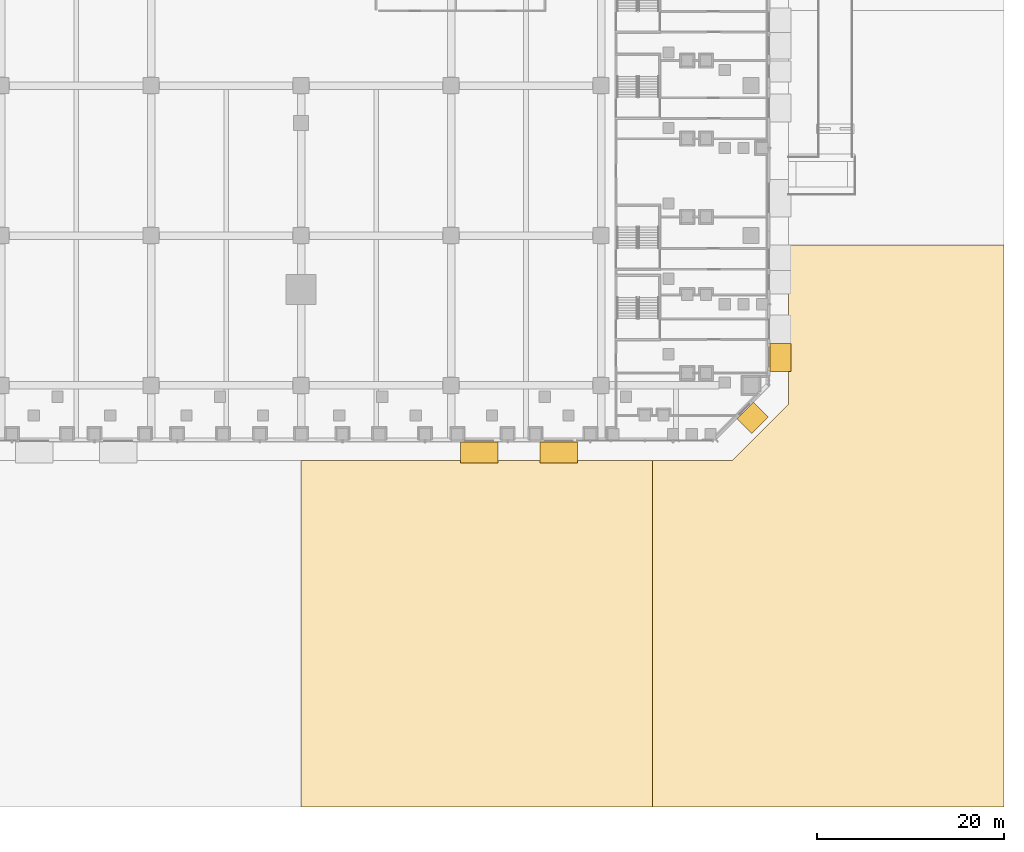
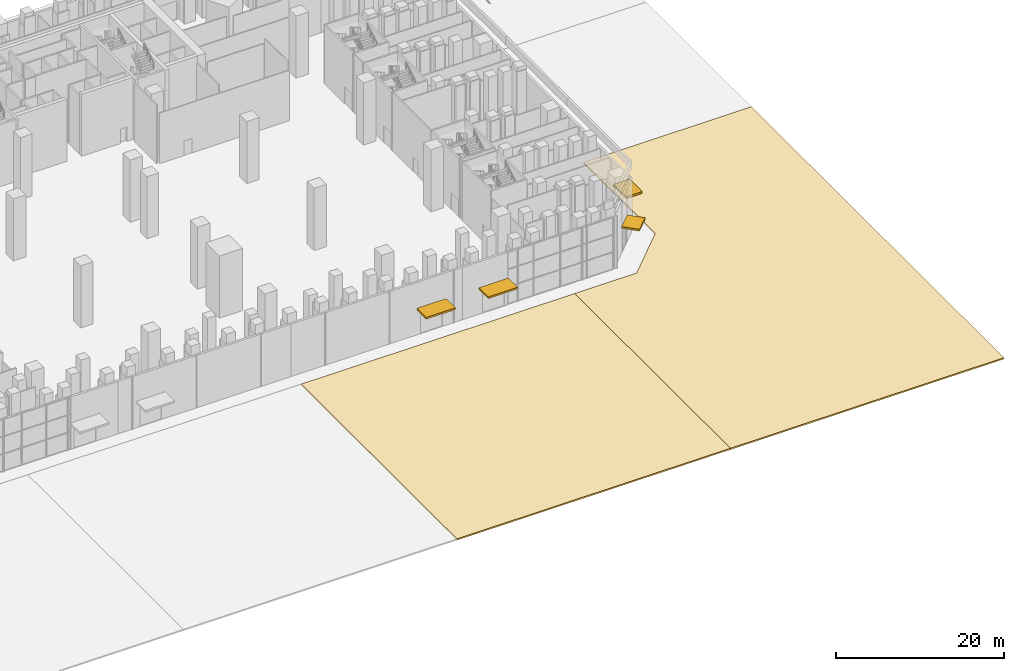
# One storey, part 39 of 51: 4 shading devices, 2 coverings.
"""IFC4 building model written with IfcOpenShell, lengths in metres."""

from ifc_helpers import new_model, si_unit, direction, frame, origin, origin_2d, place, context, subcontext, project, spatial, polyline, rectangle, outline, extrude, material, layer, layer_set, type_object, element, save


model = new_model("IFC4")

# Units and contexts
model_context = context("Model", 3, precision=1e-05, world=origin(), true_north=direction((0.0, 1.0)))
body_context = subcontext(model_context, "Body", "Model", "MODEL_VIEW")
ifc_project = project(units=[si_unit("LENGTHUNIT", "METRE"), si_unit("AREAUNIT", "SQUARE_METRE"), si_unit("VOLUMEUNIT", "CUBIC_METRE"), si_unit("PLANEANGLEUNIT", "RADIAN"), si_unit("MASSUNIT", "GRAM", prefix="KILO")], contexts=[model_context])

# Site, building, storey
site_placement = place(None, origin())
site = spatial("IfcSite", under=ifc_project, at=site_placement, CompositionType="ELEMENT")
building_placement = place(site_placement, origin())
building = spatial("IfcBuilding", under=site, at=building_placement, Name="Calabash Gate Tower", CompositionType="ELEMENT")
storey_placement = place(building_placement, origin())
storey = spatial("IfcBuildingStorey", under=building, at=storey_placement, Name="L00", CompositionType="ELEMENT", Elevation=0.0)

# Shading devices
ifc_material_1 = material(Name="Steel framed canopy with laminated glass", Category="steel")
ifc_layer_1 = layer(ifc_material_1, 0.25)
ifc_layer_set_1 = layer_set([ifc_layer_1], Name="Entrance canopy 250")
shading_device_type = type_object("IfcShadingDeviceType", Name="Entrance canopy 250", PredefinedType="AWNING", material=ifc_layer_set_1)
for number, where, z_axis, x_axis, name in (
    (1, (19.00390625, -47.14990234375, 3.60009765625), (0.0, 0.0, 1.0), (1.0, 0.0, 0.0), "Entrance canopy 3"),
    (2, (27.50390625, -47.14990234375, 3.60009765625), (0.0, 0.0, 1.0), (1.0, 0.0, 0.0), "Entrance canopy 4"),
):
    element("IfcShadingDevice", number, at=place(storey_placement, frame(where, z_axis=z_axis, x_axis=x_axis)), inside=storey, type_object=shading_device_type, Name=name, PredefinedType="AWNING", context=body_context, shape_type="SweptSolid", body=[
        extrude(rectangle(XDim=4.0, YDim=2.199951171875, at=origin_2d()), origin(), (0.0, 0.0, 1.0), 0.25),
    ])
shading_device_1_placement = place(storey_placement, frame((48.174072265625, -43.4521484375, 3.60009765625), z_axis=(0.0, 0.0, 1.0), x_axis=(0.707106781187, 0.707106781187, 0.0)))
element("IfcShadingDevice", 3, at=shading_device_1_placement, inside=storey, type_object=shading_device_type, Name="Entrance canopy 5", PredefinedType="AWNING", context=body_context, shape_type="SweptSolid", body=[
    extrude(rectangle(XDim=2.5, YDim=2.199951171875, at=origin_2d()), origin(), (0.0, 0.0, 1.0), 0.25),
])
shading_device_2_placement = place(storey_placement, frame((51.14990234375, -36.99609375, 3.60009765625), z_axis=(0.0, 0.0, 1.0), x_axis=(0.0, 1.0, 0.0)))
element("IfcShadingDevice", 4, at=shading_device_2_placement, inside=storey, type_object=shading_device_type, Name="Entrance canopy 6", PredefinedType="AWNING", context=body_context, shape_type="SweptSolid", body=[
    extrude(rectangle(XDim=3.0, YDim=2.199951171875, at=origin_2d()), origin(), (0.0, 0.0, 1.0), 0.25),
])

# Coverings
ifc_material_2 = material(Name="Granite paving on compacted gravel", Category="masonry")
ifc_layer_2 = layer(ifc_material_2, 0.199951171875)
ifc_layer_set_2 = layer_set([ifc_layer_2], Name="Granite paving slab 200")
covering_type = type_object("IfcCoveringType", Name="Granite paving slab 200", PredefinedType="FLOORING", material=ifc_layer_set_2)
covering_1_placement = place(storey_placement, frame((0.0, 0.0, -0.199951171875)))
element("IfcCovering", 5, at=covering_1_placement, inside=storey, type_object=covering_type, Name="Plaza paving 6", PredefinedType="FLOORING", context=body_context, shape_type="SweptSolid", body=[
    extrude(outline(polyline([(37.5, -85.0), (37.5, -48.0), (0.0, -48.0), (0.0, -85.0), (37.5, -85.0)])), origin(), (0.0, 0.0, 1.0), 0.199951171875),
])
covering_2_placement = place(storey_placement, frame((0.0, 0.0, -0.199951171875)))
element("IfcCovering", 6, at=covering_2_placement, inside=storey, type_object=covering_type, Name="Plaza paving 8", PredefinedType="FLOORING", context=body_context, shape_type="SweptSolid", body=[
    extrude(outline(polyline([(37.5, -85.0), (75.0, -85.0), (75.0, -25.0), (52.0, -25.0), (52.0, -42.0), (46.0, -48.0), (37.5, -48.0), (37.5, -85.0)])), origin(), (0.0, 0.0, 1.0), 0.199951171875),
])

save(model, "model.ifc")
